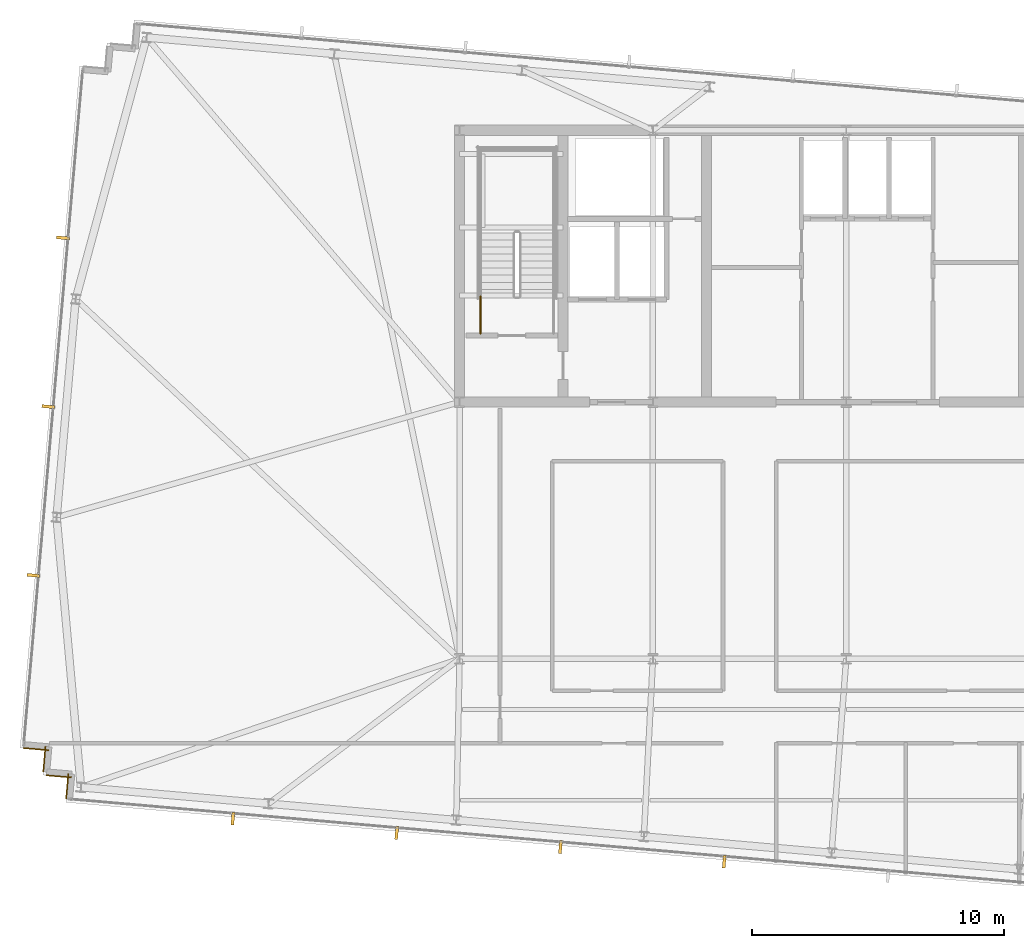
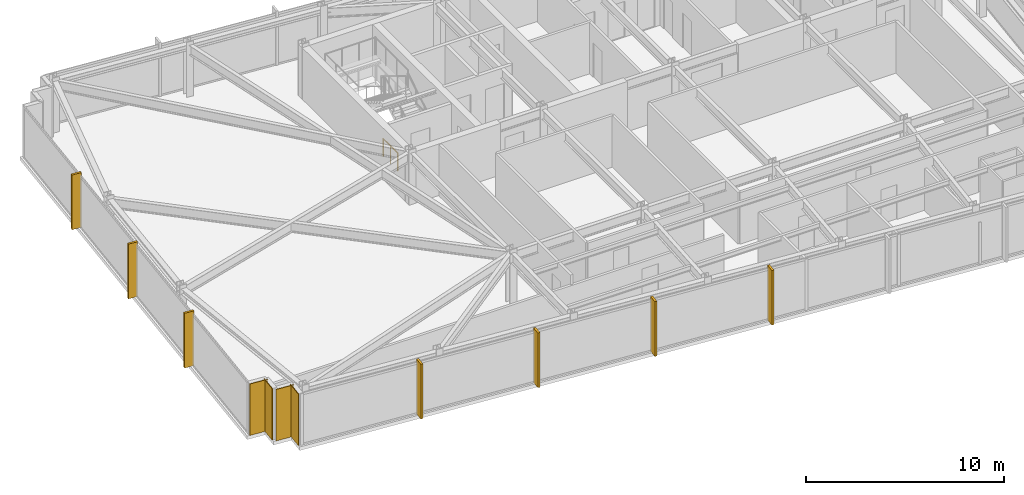
# One storey, part 29 of 32: 7 shading devices, 4 coverings, 1 railing.
"""IFC4 building model written with IfcOpenShell, lengths in metres."""

from ifc_helpers import new_model, si_unit, direction, frame, frame_2d, origin, origin_2d, place, context, subcontext, project, spatial, rectangle, circle, extrude, material, layer, layer_set, type_object, element, save


model = new_model("IFC4")

# Units and contexts
model_context = context("Model", 3, precision=1e-05, world=origin(), true_north=direction((0.0, 1.0)))
body_context = subcontext(model_context, "Body", "Model", "MODEL_VIEW")
ifc_project = project(units=[si_unit("LENGTHUNIT", "METRE"), si_unit("AREAUNIT", "SQUARE_METRE"), si_unit("VOLUMEUNIT", "CUBIC_METRE"), si_unit("PLANEANGLEUNIT", "RADIAN"), si_unit("MASSUNIT", "GRAM", prefix="KILO")], contexts=[model_context])

# Site, building, storey
site_placement = place(None, origin())
site = spatial("IfcSite", under=ifc_project, at=site_placement, CompositionType="ELEMENT")
building_placement = place(site_placement, origin())
building = spatial("IfcBuilding", under=site, at=building_placement, Name="Yelkora Congress Tower", CompositionType="ELEMENT")
storey_placement = place(building_placement, frame((0.0, 0.0, 279.5)))
storey = spatial("IfcBuildingStorey", under=building, at=storey_placement, Name="L78", CompositionType="ELEMENT", Elevation=279.5)

# Coverings
ifc_material_1 = material(Name="Anatolian bush-hammered limestone", Category="masonry")
ifc_layer_1 = layer(ifc_material_1, 0.0400390625)
ifc_layer_set_1 = layer_set([ifc_layer_1], Name="Anatolian bush-hammered limestone")
covering_type = type_object("IfcCoveringType", Name="COV-CLAD-SPANDREL-40", PredefinedType="CLADDING", material=ifc_layer_set_1)
for number, where, z_axis, x_axis, name in (
    (1, (7.41064453125, 19.63720703125, 0.0), (0.0, 0.0, 1.0), (0.087166950281, 0.996193717496, 0.0), "L78 Anatolian Limestone Cladding EW-L78-SR01"),
    (2, (7.62060546875, 20.4873046875, 0.0), (0.0, 0.0, 1.0), (-0.996214890596, 0.086924632611, 0.0), "L78 Anatolian Limestone Cladding EW-L78-SR02"),
):
    element("IfcCovering", number, at=place(storey_placement, frame(where, z_axis=z_axis, x_axis=x_axis)), inside=storey, type_object=covering_type, Name=name, PredefinedType="CLADDING", context=body_context, shape_type="SweptSolid", body=[
        extrude(rectangle(XDim=1.0, YDim=0.0400390625, at=frame_2d((0.5, 0.0))), origin(), (0.0, 0.0, 1.0), 3.179931640625),
    ])
covering_1_placement = place(storey_placement, frame((6.501708984375, 20.720458984375, 0.0), z_axis=(0.0, 0.0, 1.0), x_axis=(0.087145753297, 0.996195572005, 0.0)))
element("IfcCovering", 3, at=covering_1_placement, inside=storey, type_object=covering_type, Name="L78 Anatolian Limestone Cladding EW-L78-SR03", PredefinedType="CLADDING", context=body_context, shape_type="SweptSolid", body=[
    extrude(rectangle(XDim=1.000244140625, YDim=0.0400390625, at=frame_2d((0.5, 0.0))), origin(), (0.0, 0.0, 1.0), 3.179931640625),
])
covering_2_placement = place(storey_placement, frame((6.71142578125, 21.570556640625, 0.0), z_axis=(0.0, 0.0, 1.0), x_axis=(-0.996193717496, 0.087166950281, 0.0)))
element("IfcCovering", 4, at=covering_2_placement, inside=storey, type_object=covering_type, Name="L78 Anatolian Limestone Cladding EW-L78-SR04", PredefinedType="CLADDING", context=body_context, shape_type="SweptSolid", body=[
    extrude(rectangle(XDim=1.0, YDim=0.0400390625, at=frame_2d((0.5, 0.0))), origin(), (0.0, 0.0, 1.0), 3.179931640625),
])

# Railing
ifc_material_2 = material(Name="Painted galvanised steel stair well guard with vertical infill", Category="steel")
ifc_layer_2 = layer(ifc_material_2, 0.06005859375)
ifc_layer_set_2 = layer_set([ifc_layer_2], Name="Painted galvanised steel stair well guard with vertical infill")
railing_type = type_object("IfcRailingType", Name="RAIL-STAIR-GUARD-1120", PredefinedType="GUARDRAIL", material=ifc_layer_set_2)
railing_placement = place(storey_placement, frame((23.8701171875, 38.1201171875, 0.0)))
element("IfcRailing", 5, at=railing_placement, inside=storey, type_object=railing_type, Name="ST-01 L78 Stair Well Guardrail 9", PredefinedType="GUARDRAIL", context=body_context, shape_type="SweptSolid", body=[
    extrude(circle(Radius=0.02392578125, at=origin_2d()), frame((0.0, 0.0, 1.09619140625), z_axis=(0.0, 1.0, 0.0), x_axis=(-1.0, 0.0, 0.0)), (0.0, 0.0, 1.0), 1.47998046875),
    extrude(circle(Radius=0.02099609375, at=origin_2d()), origin(), (0.0, 0.0, 1.0), 1.072021484375),
    extrude(circle(Radius=0.02099609375, at=origin_2d()), frame((0.0, 0.739990234375, 0.0)), (0.0, 0.0, 1.0), 1.072021484375),
    extrude(circle(Radius=0.02099609375, at=origin_2d()), frame((0.0, 1.47998046875, 0.0)), (0.0, 0.0, 1.0), 1.072021484375),
])

# Shading devices
ifc_material_3 = material(Name="Champagne anodised aluminium", Category="aluminium")
ifc_layer_3 = layer(ifc_material_3, 3.300048828125)
ifc_layer_set_3 = layer_set([ifc_layer_3], Name="Champagne anodised aluminium")
shading_device_type = type_object("IfcShadingDeviceType", Name="SHD-FIN-ALU-520", PredefinedType="USERDEFINED", material=ifc_layer_set_3)
for number, where, z_axis, x_axis, name in (
    (6, (6.114501953125, 28.513916015625, -0.030029296875), (0.0, 0.0, 1.0), (0.087155742748, 0.996194698092, 0.0), "L78 Vertical Anodised Solar Fin 5-1"),
    (7, (6.700927734375, 35.218505859375, -0.030029296875), (0.0, 0.0, 1.0), (0.087155742748, 0.996194698092, 0.0), "L78 Vertical Anodised Solar Fin 5-2"),
    (8, (7.28759765625, 41.9228515625, -0.030029296875), (0.0, 0.0, 1.0), (0.087155742748, 0.996194698092, 0.0), "L78 Vertical Anodised Solar Fin 5-3"),
    (9, (33.553955078125, 17.149169921875, -0.030029296875), (0.0, 0.0, 1.0), (-0.996194698092, 0.087155742748, 0.0), "L78 Vertical Anodised Solar Fin 20-3"),
    (10, (27.04736328125, 17.718505859375, -0.030029296875), (0.0, 0.0, 1.0), (-0.996194698092, 0.087155742748, 0.0), "L78 Vertical Anodised Solar Fin 20-4"),
    (11, (20.541015625, 18.28759765625, -0.030029296875), (0.0, 0.0, 1.0), (-0.996194698092, 0.087155742748, 0.0), "L78 Vertical Anodised Solar Fin 20-5"),
    (12, (14.0341796875, 18.85693359375, -0.030029296875), (0.0, 0.0, 1.0), (-0.996194698092, 0.087155742748, 0.0), "L78 Vertical Anodised Solar Fin 20-6"),
):
    element("IfcShadingDevice", number, at=place(storey_placement, frame(where, z_axis=z_axis, x_axis=x_axis)), inside=storey, type_object=shading_device_type, Name=name, ObjectType="FIN", PredefinedType="USERDEFINED", context=body_context, shape_type="SweptSolid", body=[
        extrude(rectangle(XDim=0.1201171875, YDim=0.52001953125, at=origin_2d()), origin(), (0.0, 0.0, 1.0), 3.3798828125),
    ])

save(model, "model.ifc")
